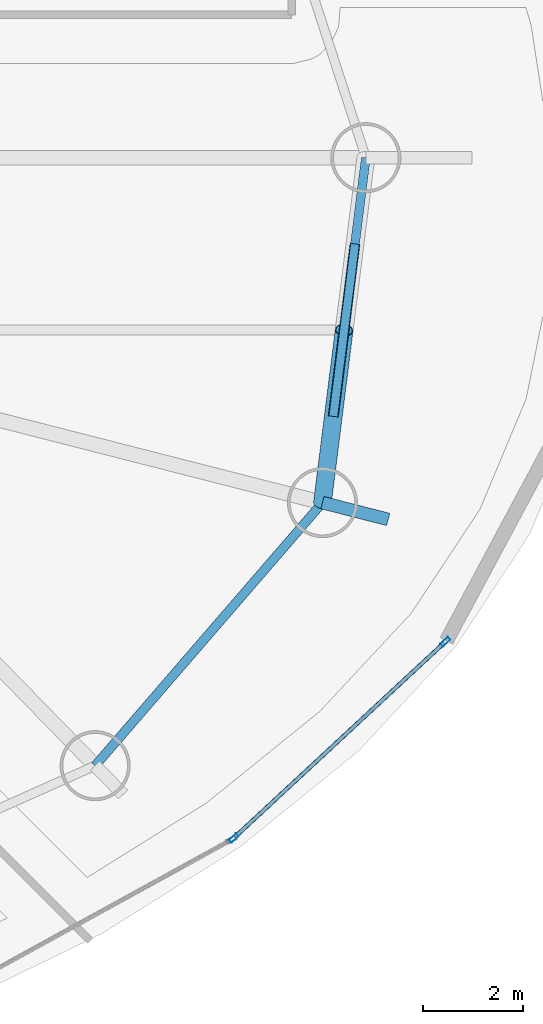
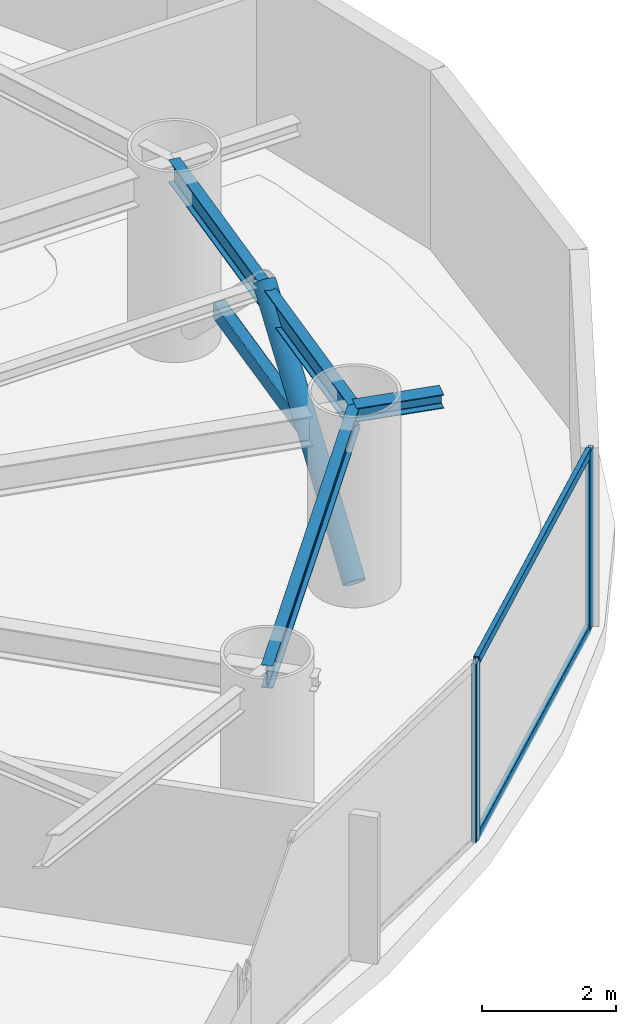
# One storey, part 6 of 21: 6 members, 3 beams, 1 element without a shape of its own.
"""IFC4 building model written with IfcOpenShell, lengths in metres."""

from ifc_helpers import new_model, si_unit, direction, frame, origin, origin_2d, place, context, subcontext, project, spatial, hollow_rectangle, hollow_circle, i_section, extrude, material, layer, layer_set, material_profile, profile_set, type_object, element, aggregate, save


model = new_model("IFC4")

# Units and contexts
model_context = context("Model", 3, precision=1e-05, world=origin(), true_north=direction((0.0, 1.0)))
body_context = subcontext(model_context, "Body", "Model", "MODEL_VIEW")
ifc_project = project(units=[si_unit("LENGTHUNIT", "METRE"), si_unit("AREAUNIT", "SQUARE_METRE"), si_unit("VOLUMEUNIT", "CUBIC_METRE"), si_unit("PLANEANGLEUNIT", "RADIAN"), si_unit("MASSUNIT", "GRAM", prefix="KILO")], contexts=[model_context])

# Site, building, storey
site_placement = place(None, origin())
site = spatial("IfcSite", under=ifc_project, at=site_placement, CompositionType="ELEMENT")
building_placement = place(site_placement, origin())
building = spatial("IfcBuilding", under=site, at=building_placement, Name="Bramvorn Convention Spire", CompositionType="ELEMENT")
storey_placement = place(building_placement, frame((0.0, 0.0, 102.800048828125)))
storey = spatial("IfcBuildingStorey", under=building, at=storey_placement, Name="L24", CompositionType="ELEMENT", Elevation=102.800048828125)

# Beams
ifc_material_1 = material(Name="Steel CSA G40.21 Grade 350 (350W)", Category="steel")
ifc_material_profile_1 = material_profile(ifc_material_1, i_section(OverallWidth=0.25390625, OverallDepth=0.2529296875, WebThickness=0.008544921875, FlangeThickness=0.01416015625, FilletRadius=0.011962890625, at=origin_2d()))
ifc_profile_set_1 = profile_set([ifc_material_profile_1], Name="Steel CSA G40.21 Grade 350 (350W) - W250X73")
beam_type_1 = type_object("IfcBeamType", Name="BM-W250X73", PredefinedType="BEAM", material=ifc_profile_set_1)
beam_1_placement = place(storey_placement, frame((62.11767578125, 15.26220703125, 3.133544921875), z_axis=(0.968857021317, -0.247620823529, 0.0), x_axis=(0.247620823529, 0.968857021317, 0.0)))
element("IfcBeam", 1, at=beam_1_placement, inside=storey, type_object=beam_type_1, Name="L24 slab-edge cantilever tip beam MC01", PredefinedType="BEAM", context=body_context, shape_type="SweptSolid", body=[
    extrude(i_section(OverallWidth=0.25390625, OverallDepth=0.2529296875, WebThickness=0.008544921875, FlangeThickness=0.01416015625, FilletRadius=0.011962890625, at=origin_2d()), origin(), (0.0, 0.0, 1.0), 1.354736328125),
])
ifc_material_profile_2 = material_profile(ifc_material_1, i_section(OverallWidth=0.180908203125, OverallDepth=0.4169921875, WebThickness=0.010986328125, FlangeThickness=0.018310546875, FilletRadius=0.01611328125, at=origin_2d()))
ifc_profile_set_2 = profile_set([ifc_material_profile_2], Name="Steel CSA G40.21 Grade 350 (350W) - W410X85")
beam_type_2 = type_object("IfcBeamType", Name="BM-W410X85", PredefinedType="JOIST", material=ifc_profile_set_2)
beam_2_placement = place(storey_placement, frame((62.11767578125, 15.26220703125, 3.051513671875), z_axis=(0.124775053879, 0.992185056292, 0.0), x_axis=(-0.992185056292, 0.124775053879, 0.0)))
element("IfcBeam", 2, at=beam_2_placement, inside=storey, type_object=beam_type_2, Name="L24 mega-column ring beam 01", PredefinedType="JOIST", context=body_context, shape_type="SweptSolid", body=[
    extrude(i_section(OverallWidth=0.180908203125, OverallDepth=0.4169921875, WebThickness=0.010986328125, FlangeThickness=0.018310546875, FilletRadius=0.01611328125, at=origin_2d()), origin(), (0.0, 0.0, 1.0), 6.940185546875),
])
beam_3_placement = place(storey_placement, frame((57.579833984375, 10.0107421875, 3.051513671875), z_axis=(0.653824993824, 0.756645807132, 0.0), x_axis=(-0.756645807132, 0.653824993824, 0.0)))
element("IfcBeam", 3, at=beam_3_placement, inside=storey, type_object=beam_type_2, Name="L24 mega-column ring beam 16", PredefinedType="JOIST", context=body_context, shape_type="SweptSolid", body=[
    extrude(i_section(OverallWidth=0.180908203125, OverallDepth=0.4169921875, WebThickness=0.010986328125, FlangeThickness=0.018310546875, FilletRadius=0.01611328125, at=origin_2d()), origin(), (0.0, 0.0, 1.0), 6.9404296875),
])

# Curtain wall, members
ifc_material_2 = material(Name="Anodised Bronze Unitised Curtain Wall", Category="aluminium")
ifc_layer = layer(ifc_material_2, 0.179931640625)
ifc_layer_set = layer_set([ifc_layer], Name="Anodised Bronze Unitised Curtain Wall - CW-HTL-FRIT")
curtain_wall_type = type_object("IfcCurtainWallType", Name="CW-HTL-FRIT", PredefinedType="USERDEFINED", material=ifc_layer_set)
curtain_wall_placement = place(storey_placement, origin())
curtain_wall = element("IfcCurtainWall", 4, at=curtain_wall_placement, inside=storey, type_object=curtain_wall_type, Name="L24 fritted glass curtain wall 23", ObjectType="UNITISED CURTAIN WALL", PredefinedType="USERDEFINED")
ifc_material_3 = material(Name="Anodised Bronze Aluminium 6063-T6", Category="aluminium")
ifc_material_profile_3 = material_profile(ifc_material_3, hollow_rectangle(XDim=0.080078125, YDim=0.199951171875, WallThickness=0.00390625, InnerFilletRadius=0.0009765625, OuterFilletRadius=0.00390625, at=origin_2d()))
ifc_profile_set_3 = profile_set([ifc_material_profile_3], Name="Anodised Bronze Aluminium 6063-T6 - CWM80X200")
member_type_1 = type_object("IfcMemberType", Name="CW-MUL-180", PredefinedType="MULLION", material=ifc_profile_set_3)
member_1_placement = place(storey_placement, frame((64.571533203125, 12.485595703125, 0.0), z_axis=(0.0, 0.0, 1.0), x_axis=(0.680173068178, -0.733051565256, 0.0)))
member_1 = element("IfcMember", 5, at=member_1_placement, type_object=member_type_1, Name="CW2 mullion 1", PredefinedType="MULLION", context=body_context, shape_type="SweptSolid", body=[
    extrude(hollow_rectangle(XDim=0.080078125, YDim=0.199951171875, WallThickness=0.00390625, InnerFilletRadius=0.0009765625, OuterFilletRadius=0.00390625, at=origin_2d()), origin(), (0.0, 0.0, 1.0), 3.260009765625),
])
member_2_placement = place(storey_placement, frame((60.34716796875, 8.56591796875, 0.0), z_axis=(0.0, 0.0, 1.0), x_axis=(0.680173068178, -0.733051565256, 0.0)))
member_2 = element("IfcMember", 6, at=member_2_placement, type_object=member_type_1, Name="CW2 mullion 2", PredefinedType="MULLION", context=body_context, shape_type="SweptSolid", body=[
    extrude(hollow_rectangle(XDim=0.080078125, YDim=0.199951171875, WallThickness=0.00390625, InnerFilletRadius=0.0009765625, OuterFilletRadius=0.00390625, at=origin_2d()), origin(), (0.0, 0.0, 1.0), 3.260009765625),
])
ifc_material_profile_4 = material_profile(ifc_material_3, hollow_rectangle(XDim=0.080078125, YDim=0.159912109375, WallThickness=0.00390625, InnerFilletRadius=0.0009765625, OuterFilletRadius=0.00390625, at=origin_2d()))
ifc_profile_set_4 = profile_set([ifc_material_profile_4], Name="Anodised Bronze Aluminium 6063-T6 - CWT80X160")
member_type_2 = type_object("IfcMemberType", Name="CW-TRN-150", PredefinedType="USERDEFINED", material=ifc_profile_set_4)
member_3_placement = place(storey_placement, frame((64.549560546875, 12.465087890625, 0.030029296875), z_axis=(-0.733069421963, -0.680153822737, 0.0), x_axis=(0.680153822737, -0.733069421963, 0.0)))
member_3 = element("IfcMember", 7, at=member_3_placement, type_object=member_type_2, Name="CW2 transom 1.1", ObjectType="TRANSOM", PredefinedType="USERDEFINED", context=body_context, shape_type="SweptSolid", body=[
    extrude(hollow_rectangle(XDim=0.080078125, YDim=0.159912109375, WallThickness=0.00390625, InnerFilletRadius=0.0009765625, OuterFilletRadius=0.00390625, at=origin_2d()), origin(), (0.0, 0.0, 1.0), 5.70263671875),
])
member_4_placement = place(storey_placement, frame((64.549560546875, 12.465087890625, 3.22998046875), z_axis=(-0.733069421963, -0.680153822737, 0.0), x_axis=(0.680153822737, -0.733069421963, 0.0)))
member_4 = element("IfcMember", 8, at=member_4_placement, type_object=member_type_2, Name="CW2 transom 1.2", ObjectType="TRANSOM", PredefinedType="USERDEFINED", context=body_context, shape_type="SweptSolid", body=[
    extrude(hollow_rectangle(XDim=0.080078125, YDim=0.159912109375, WallThickness=0.00390625, InnerFilletRadius=0.0009765625, OuterFilletRadius=0.00390625, at=origin_2d()), origin(), (0.0, 0.0, 1.0), 5.70263671875),
])
aggregate(curtain_wall, [member_1, member_2, member_3, member_4])

# Members
ifc_material_profile_5 = material_profile(ifc_material_1, hollow_circle(Radius=0.177734375, WallThickness=0.015869140625, at=origin_2d()))
ifc_profile_set_5 = profile_set([ifc_material_profile_5], Name="Steel CSA G40.21 Grade 350 (350W) - CHS356X16")
member_type_3 = type_object("IfcMemberType", Name="MBR-CHS356X16", PredefinedType="BRACE", material=ifc_profile_set_5)
member_5_placement = place(storey_placement, frame((62.11767578125, 15.26220703125, 0.0), z_axis=(0.090912229428, 0.723144484842, 0.684687534999), x_axis=(-0.992189958039, 0.124736070028, 0.0)))
element("IfcMember", 9, at=member_5_placement, inside=storey, type_object=member_type_3, Name="L24 perimeter Gothic lancet brace 1A", PredefinedType="BRACE", context=body_context, shape_type="SweptSolid", body=[
    extrude(hollow_circle(Radius=0.177734375, WallThickness=0.015869140625, at=origin_2d()), origin(), (0.0, 0.0, 1.0), 4.76123046875),
])
ifc_material_profile_6 = material_profile(ifc_material_1, hollow_rectangle(XDim=0.203125, YDim=0.3046875, WallThickness=0.0126953125, InnerFilletRadius=0.0126953125, OuterFilletRadius=0.025390625, at=origin_2d()))
ifc_profile_set_6 = profile_set([ifc_material_profile_6], Name="Steel CSA G40.21 Grade 350 (350W) - HSS305X203X13")
member_type_4 = type_object("IfcMemberType", Name="MBR-HSS305X203X13", PredefinedType="BRACE", material=ifc_profile_set_6)
member_6_placement = place(storey_placement, frame((62.333984375, 16.983642578125, 1.6298828125), z_axis=(0.124805327599, 0.992181248665, 0.0), x_axis=(-0.992181248665, 0.124805327599, 0.0)))
element("IfcMember", 10, at=member_6_placement, inside=storey, type_object=member_type_4, Name="L24 lancet mid-height collar tie 1", PredefinedType="BRACE", context=body_context, shape_type="SweptSolid", body=[
    extrude(hollow_rectangle(XDim=0.203125, YDim=0.3046875, WallThickness=0.0126953125, InnerFilletRadius=0.0126953125, OuterFilletRadius=0.025390625, at=origin_2d()), origin(), (0.0, 0.0, 1.0), 3.47021484375),
])

save(model, "model.ifc")
